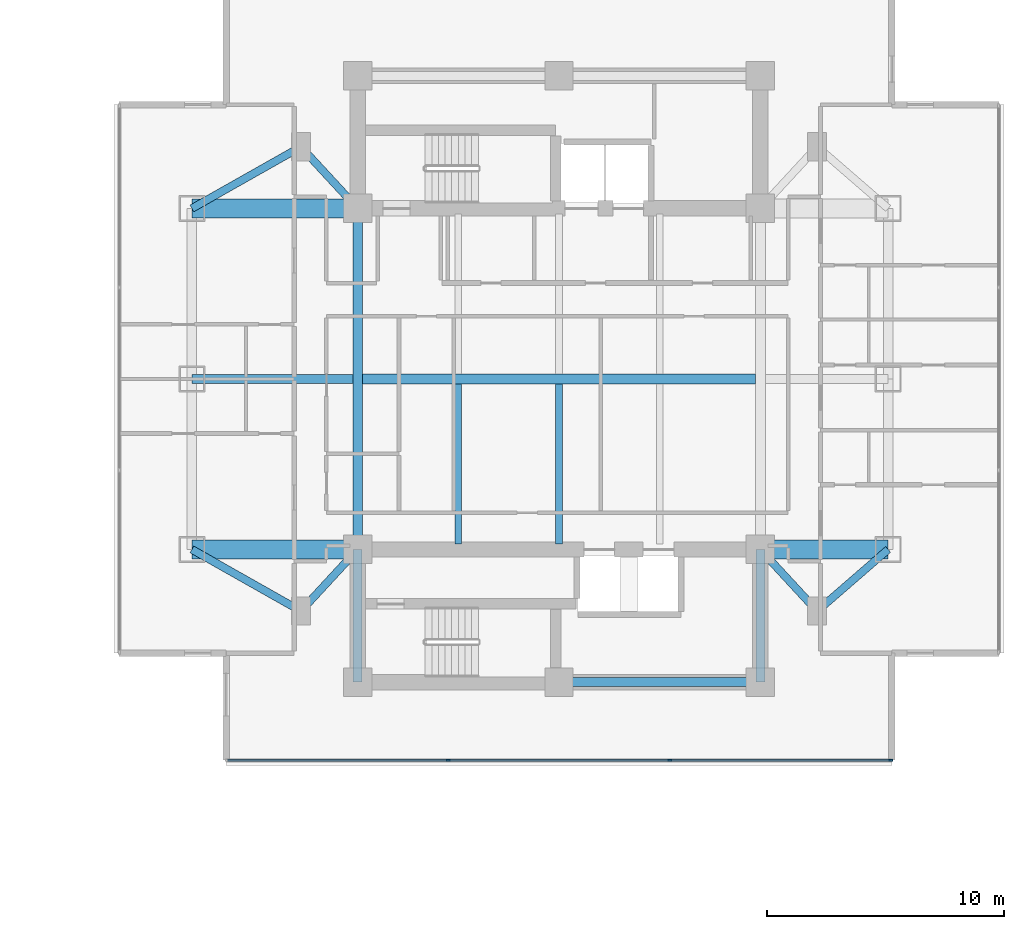
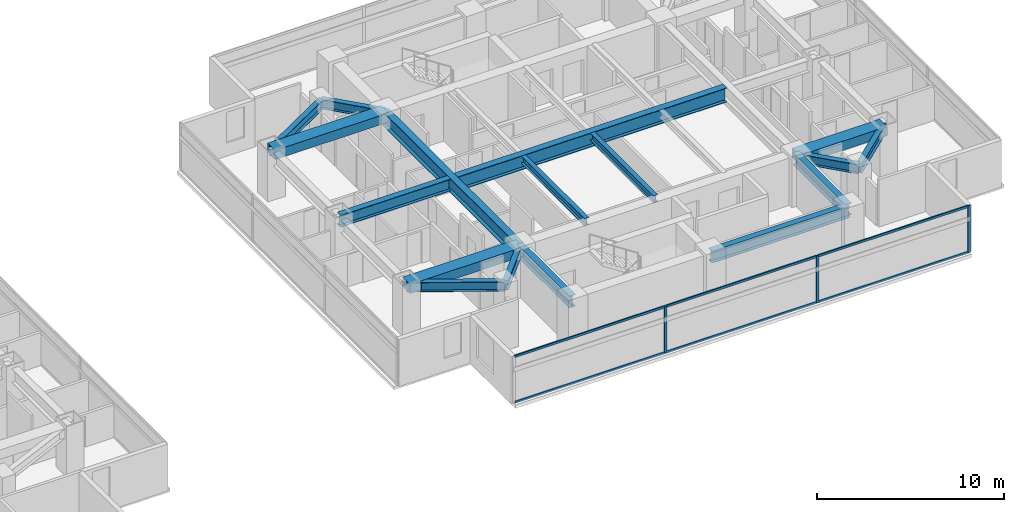
# One storey, part 9 of 26: 17 beams, 9 members, 1 element without a shape of its own.
"""IFC4 building model written with IfcOpenShell, lengths in metres."""

from ifc_helpers import new_model, si_unit, direction, frame, origin, origin_2d, place, context, subcontext, project, spatial, rectangle, i_section, extrude, material, material_profile, profile_set, type_object, element, aggregate, save


model = new_model("IFC4")

# Units and contexts
model_context = context("Model", 3, precision=1e-05, world=origin(), true_north=direction((0.0, 1.0)))
body_context = subcontext(model_context, "Body", "Model", "MODEL_VIEW")
ifc_project = project(units=[si_unit("LENGTHUNIT", "METRE"), si_unit("AREAUNIT", "SQUARE_METRE"), si_unit("VOLUMEUNIT", "CUBIC_METRE"), si_unit("PLANEANGLEUNIT", "RADIAN"), si_unit("MASSUNIT", "GRAM", prefix="KILO")], contexts=[model_context])

# Site, building, storey
site_placement = place(None, origin())
site = spatial("IfcSite", under=ifc_project, at=site_placement, CompositionType="ELEMENT")
building_placement = place(site_placement, origin())
building = spatial("IfcBuilding", under=site, at=building_placement, Name="Mirazonda Arch Towers", CompositionType="ELEMENT")
storey_placement = place(building_placement, frame((0.0, 0.0, 108.199951171875)))
storey = spatial("IfcBuildingStorey", under=building, at=storey_placement, Name="L30", CompositionType="ELEMENT", Elevation=108.199951171875)

# Beams
ifc_material_1 = material(Name="Steel ASTM A992 Grade 50", Category="steel")
ifc_material_profile_1 = material_profile(ifc_material_1, i_section(OverallWidth=0.280029296875, OverallDepth=0.462890625, WebThickness=0.0107421875, FlangeThickness=0.017333984375, at=origin_2d()), Name="W18X76")
ifc_profile_set_1 = profile_set([ifc_material_profile_1], Name="Steel ASTM A992 Grade 50")
beam_type_1 = type_object("IfcBeamType", Name="BM-INT-W18X76", PredefinedType="JOIST", material=ifc_profile_set_1)
for number, where, z_axis, x_axis, name in (
    (1, (72.25, 21.0400390625, 2.8486328125), (0.0, 1.0, 0.0), (-1.0, 0.0, 0.0), "L30 Floor Beam BM-T2-L30-J-722-20"),
    (2, (76.5, 21.0400390625, 2.8486328125), (0.0, 1.0, 0.0), (-1.0, 0.0, 0.0), "L30 Floor Beam BM-T2-L30-J-765-20"),
):
    element("IfcBeam", number, at=place(storey_placement, frame(where, z_axis=z_axis, x_axis=x_axis)), inside=storey, type_object=beam_type_1, Name=name, PredefinedType="JOIST", context=body_context, shape_type="SweptSolid", body=[
        extrude(i_section(OverallWidth=0.280029296875, OverallDepth=0.462890625, WebThickness=0.0107421875, FlangeThickness=0.017333984375, at=origin_2d()), origin(), (0.0, 0.0, 1.0), 6.7548828125),
    ])
ifc_material_profile_2 = material_profile(ifc_material_1, i_section(OverallWidth=0.324951171875, OverallDepth=0.615966796875, WebThickness=0.013916015625, FlangeThickness=0.021484375, at=origin_2d()), Name="W24X117")
ifc_profile_set_2 = profile_set([ifc_material_profile_2], Name="Steel ASTM A992 Grade 50")
beam_type_2 = type_object("IfcBeamType", Name="BM-INT-W24X117", PredefinedType="BEAM", material=ifc_profile_set_2)
beam_1_placement = place(storey_placement, frame((65.60009765625, 18.199951171875, 2.77197265625), z_axis=(0.678251444854, 0.734829897019, 0.0), x_axis=(-0.734829897019, 0.678251444854, 0.0)))
element("IfcBeam", 3, at=beam_1_placement, inside=storey, type_object=beam_type_2, Name="L30 Floor Beam BM-T2-L30-PL-SW1", PredefinedType="BEAM", context=body_context, shape_type="SweptSolid", body=[
    extrude(i_section(OverallWidth=0.324951171875, OverallDepth=0.615966796875, WebThickness=0.013916015625, FlangeThickness=0.021484375, at=origin_2d()), origin(), (0.0, 0.0, 1.0), 3.538330078125),
])
beam_2_placement = place(storey_placement, frame((65.60009765625, 18.199951171875, 2.77197265625), z_axis=(-0.870559396632, 0.492063346467, 0.0), x_axis=(-0.492063346467, -0.870559396632, 0.0)))
element("IfcBeam", 4, at=beam_2_placement, inside=storey, type_object=beam_type_2, Name="L30 Floor Beam BM-T2-L30-PL-SW2", PredefinedType="BEAM", context=body_context, shape_type="SweptSolid", body=[
    extrude(i_section(OverallWidth=0.324951171875, OverallDepth=0.615966796875, WebThickness=0.013916015625, FlangeThickness=0.021484375, at=origin_2d()), origin(), (0.0, 0.0, 1.0), 5.2841796875),
])
beam_3_placement = place(storey_placement, frame((87.39990234375, 18.199951171875, 2.77197265625), z_axis=(-0.678251444854, 0.734829897019, 0.0), x_axis=(-0.734829897019, -0.678251444854, 0.0)))
element("IfcBeam", 5, at=beam_3_placement, inside=storey, type_object=beam_type_2, Name="L30 Floor Beam BM-T2-L30-PL-SE1", PredefinedType="BEAM", context=body_context, shape_type="SweptSolid", body=[
    extrude(i_section(OverallWidth=0.324951171875, OverallDepth=0.615966796875, WebThickness=0.013916015625, FlangeThickness=0.021484375, at=origin_2d()), origin(), (0.0, 0.0, 1.0), 3.538330078125),
])
beam_4_placement = place(storey_placement, frame((87.39990234375, 18.199951171875, 2.77197265625), z_axis=(0.755676908098, 0.654944585876, 0.0), x_axis=(-0.654944585876, 0.755676908098, 0.0)))
element("IfcBeam", 6, at=beam_4_placement, inside=storey, type_object=beam_type_2, Name="L30 Floor Beam BM-T2-L30-PL-SE2", PredefinedType="BEAM", context=body_context, shape_type="SweptSolid", body=[
    extrude(i_section(OverallWidth=0.324951171875, OverallDepth=0.615966796875, WebThickness=0.013916015625, FlangeThickness=0.021484375, at=origin_2d()), origin(), (0.0, 0.0, 1.0), 3.969970703125),
])
beam_5_placement = place(storey_placement, frame((65.60009765625, 37.800048828125, 2.77197265625), z_axis=(0.678251444854, -0.734829897019, 0.0), x_axis=(0.734829897019, 0.678251444854, 0.0)))
element("IfcBeam", 7, at=beam_5_placement, inside=storey, type_object=beam_type_2, Name="L30 Floor Beam BM-T2-L30-PL-NW1", PredefinedType="BEAM", context=body_context, shape_type="SweptSolid", body=[
    extrude(i_section(OverallWidth=0.324951171875, OverallDepth=0.615966796875, WebThickness=0.013916015625, FlangeThickness=0.021484375, at=origin_2d()), origin(), (0.0, 0.0, 1.0), 3.538330078125),
])
beam_6_placement = place(storey_placement, frame((65.60009765625, 37.800048828125, 2.77197265625), z_axis=(-0.870559396632, -0.492063346467, 0.0), x_axis=(0.492063346467, -0.870559396632, 0.0)))
element("IfcBeam", 8, at=beam_6_placement, inside=storey, type_object=beam_type_2, Name="L30 Floor Beam BM-T2-L30-PL-NW2", PredefinedType="BEAM", context=body_context, shape_type="SweptSolid", body=[
    extrude(i_section(OverallWidth=0.324951171875, OverallDepth=0.615966796875, WebThickness=0.013916015625, FlangeThickness=0.021484375, at=origin_2d()), origin(), (0.0, 0.0, 1.0), 5.2841796875),
])
ifc_material_profile_3 = material_profile(ifc_material_1, i_section(OverallWidth=0.381103515625, OverallDepth=0.77294921875, WebThickness=0.0166015625, FlangeThickness=0.027099609375, at=origin_2d()), Name="W30X173")
ifc_profile_set_3 = profile_set([ifc_material_profile_3], Name="Steel ASTM A992 Grade 50")
beam_type_3 = type_object("IfcBeamType", Name="BM-INT-W30X173", PredefinedType="USERDEFINED", material=ifc_profile_set_3)
beam_7_placement = place(storey_placement, frame((76.5, 15.199951171875, 2.693603515625), z_axis=(1.0, 0.0, 0.0), x_axis=(0.0, 1.0, 0.0)))
element("IfcBeam", 9, at=beam_7_placement, inside=storey, type_object=beam_type_3, Name="L30 Floor Beam BM-T2-L30-CS2", ObjectType="GIRDER", PredefinedType="USERDEFINED", context=body_context, shape_type="SweptSolid", body=[
    extrude(i_section(OverallWidth=0.381103515625, OverallDepth=0.77294921875, WebThickness=0.0166015625, FlangeThickness=0.027099609375, at=origin_2d()), origin(), (0.0, 0.0, 1.0), 8.5),
])
for number, where, z_axis, x_axis, name in (
    (10, (68.0, 15.199951171875, 2.693603515625), (0.0, 1.0, 0.0), (-1.0, 0.0, 0.0), "L30 Floor Beam BM-T2-L30-CSW"),
    (11, (85.0, 15.199951171875, 2.693603515625), (0.0, 1.0, 0.0), (-1.0, 0.0, 0.0), "L30 Floor Beam BM-T2-L30-CSE"),
):
    element("IfcBeam", number, at=place(storey_placement, frame(where, z_axis=z_axis, x_axis=x_axis)), inside=storey, type_object=beam_type_3, Name=name, ObjectType="GIRDER", PredefinedType="USERDEFINED", context=body_context, shape_type="SweptSolid", body=[
        extrude(i_section(OverallWidth=0.381103515625, OverallDepth=0.77294921875, WebThickness=0.0166015625, FlangeThickness=0.027099609375, at=origin_2d()), origin(), (0.0, 0.0, 1.0), 5.60009765625),
    ])
beam_8_placement = place(storey_placement, frame((61.0, 28.0, 2.693603515625), z_axis=(1.0, 0.0, 0.0), x_axis=(0.0, 1.0, 0.0)))
element("IfcBeam", 12, at=beam_8_placement, inside=storey, type_object=beam_type_3, Name="L30 Floor Beam BM-T2-L30-GW2", ObjectType="GIRDER", PredefinedType="USERDEFINED", context=body_context, shape_type="SweptSolid", body=[
    extrude(i_section(OverallWidth=0.381103515625, OverallDepth=0.77294921875, WebThickness=0.0166015625, FlangeThickness=0.027099609375, at=origin_2d()), origin(), (0.0, 0.0, 1.0), 6.791015625),
])
ifc_material_profile_4 = material_profile(ifc_material_1, i_section(OverallWidth=0.41796875, OverallDepth=0.927001953125, WebThickness=0.019287109375, FlangeThickness=0.031982421875, at=origin_2d()), Name="W36X231")
ifc_profile_set_4 = profile_set([ifc_material_profile_4], Name="Steel ASTM A992 Grade 50")
beam_type_4 = type_object("IfcBeamType", Name="BM-INT-W36X231", PredefinedType="USERDEFINED", material=ifc_profile_set_4)
beam_9_placement = place(storey_placement, frame((68.208984375, 28.0, 2.616455078125), z_axis=(1.0, 0.0, 0.0), x_axis=(0.0, 1.0, 0.0)))
element("IfcBeam", 13, at=beam_9_placement, inside=storey, type_object=beam_type_4, Name="L30 Floor Beam BM-T2-L30-GC2", ObjectType="GIRDER", PredefinedType="USERDEFINED", context=body_context, shape_type="SweptSolid", body=[
    extrude(i_section(OverallWidth=0.41796875, OverallDepth=0.927001953125, WebThickness=0.019287109375, FlangeThickness=0.031982421875, at=origin_2d()), origin(), (0.0, 0.0, 1.0), 16.58203125),
])
beam_10_placement = place(storey_placement, frame((68.0, 20.800048828125, 2.616455078125), z_axis=(0.0, 1.0, 0.0), x_axis=(-1.0, 0.0, 0.0)))
element("IfcBeam", 14, at=beam_10_placement, inside=storey, type_object=beam_type_4, Name="L30 Floor Beam BM-T2-L30-NS-CW-FULL", ObjectType="GIRDER", PredefinedType="USERDEFINED", context=body_context, shape_type="SweptSolid", body=[
    extrude(i_section(OverallWidth=0.41796875, OverallDepth=0.927001953125, WebThickness=0.019287109375, FlangeThickness=0.031982421875, at=origin_2d()), origin(), (0.0, 0.0, 1.0), 14.39990234375),
])
ifc_material_2 = material(Name="Concrete C60/75", Category="concrete")
ifc_material_profile_5 = material_profile(ifc_material_2, rectangle(XDim=0.800048828125, YDim=0.60009765625, at=origin_2d()), Name="RCCB800x600")
ifc_profile_set_5 = profile_set([ifc_material_profile_5], Name="Concrete C60/75")
beam_type_5 = type_object("IfcBeamType", Name="CB-INT-RCCB800x600", PredefinedType="SPANDREL", material=ifc_profile_set_5)
for number, where, z_axis, x_axis, name in (
    (15, (61.0, 35.199951171875, 2.780029296875), (1.0, 0.0, 0.0), (0.0, 1.0, 0.0), "L30 Floor Beam CBC-T2-L30-NW"),
    (16, (61.0, 20.800048828125, 2.780029296875), (1.0, 0.0, 0.0), (0.0, 1.0, 0.0), "L30 Floor Beam CBC-T2-L30-SW"),
):
    element("IfcBeam", number, at=place(storey_placement, frame(where, z_axis=z_axis, x_axis=x_axis)), inside=storey, type_object=beam_type_5, Name=name, PredefinedType="SPANDREL", context=body_context, shape_type="SweptSolid", body=[
        extrude(rectangle(XDim=0.800048828125, YDim=0.60009765625, at=origin_2d()), origin(), (0.0, 0.0, 1.0), 7.0),
    ])
beam_11_placement = place(storey_placement, frame((85.0, 20.800048828125, 2.780029296875), z_axis=(1.0, 0.0, 0.0), x_axis=(0.0, 1.0, 0.0)))
element("IfcBeam", 17, at=beam_11_placement, inside=storey, type_object=beam_type_5, Name="L30 Floor Beam CBC-T2-L30-SE", PredefinedType="SPANDREL", context=body_context, shape_type="SweptSolid", body=[
    extrude(rectangle(XDim=0.800048828125, YDim=0.60009765625, at=origin_2d()), origin(), (0.0, 0.0, 1.0), 5.39990234375),
])

# Curtain wall, members
ifc_material_3 = material(Name="Anodised Aluminium and Low-E Glass", Category="aluminium")
curtain_wall_type = type_object("IfcCurtainWallType", Name="CW-HTL-UNIT", PredefinedType="NOTDEFINED", material=ifc_material_3)
curtain_wall_placement = place(storey_placement, origin())
curtain_wall = element("IfcCurtainWall", 18, at=curtain_wall_placement, inside=storey, type_object=curtain_wall_type, Name="L30 T2 S Facade CW-L30-T2-S", PredefinedType="NOTDEFINED")
ifc_material_4 = material(Name="Anodised Aluminium Alloy", Category="aluminium")
ifc_material_profile_6 = material_profile(ifc_material_4, rectangle(XDim=0.074951171875, YDim=0.1650390625, at=origin_2d()), Name="ALU-MULL-75x165")
ifc_profile_set_6 = profile_set([ifc_material_profile_6], Name="Anodised Aluminium Alloy")
member_type_1 = type_object("IfcMemberType", Name="MULL-CW-HTL-UNIT", PredefinedType="MULLION", material=ifc_profile_set_6)
member_1_placement = place(storey_placement, frame((90.5166015625, 11.902587890625, 0.0), z_axis=(0.0, 0.0, 1.0), x_axis=(0.0, -1.0, 0.0)))
member_1 = element("IfcMember", 19, at=member_1_placement, type_object=member_type_1, Name="CW-112 mullion 1", PredefinedType="MULLION", context=body_context, shape_type="SweptSolid", body=[
    extrude(rectangle(XDim=0.074951171875, YDim=0.1650390625, at=origin_2d()), origin(), (0.0, 0.0, 1.0), 3.06005859375),
])
member_2_placement = place(storey_placement, frame((81.184814453125, 11.902587890625, 0.0), z_axis=(0.0, 0.0, 1.0), x_axis=(0.0, -1.0, 0.0)))
member_2 = element("IfcMember", 20, at=member_2_placement, type_object=member_type_1, Name="CW-112 mullion 2", PredefinedType="MULLION", context=body_context, shape_type="SweptSolid", body=[
    extrude(rectangle(XDim=0.074951171875, YDim=0.1650390625, at=origin_2d()), origin(), (0.0, 0.0, 1.0), 3.06005859375),
])
member_3_placement = place(storey_placement, frame((71.815185546875, 11.902587890625, 0.0), z_axis=(0.0, 0.0, 1.0), x_axis=(0.0, -1.0, 0.0)))
member_3 = element("IfcMember", 21, at=member_3_placement, type_object=member_type_1, Name="CW-112 mullion 3", PredefinedType="MULLION", context=body_context, shape_type="SweptSolid", body=[
    extrude(rectangle(XDim=0.074951171875, YDim=0.1650390625, at=origin_2d()), origin(), (0.0, 0.0, 1.0), 3.06005859375),
])
ifc_material_profile_7 = material_profile(ifc_material_4, rectangle(XDim=0.074951171875, YDim=0.14501953125, at=origin_2d()), Name="ALU-TRAN-75x145")
ifc_profile_set_7 = profile_set([ifc_material_profile_7], Name="Anodised Aluminium Alloy")
member_type_2 = type_object("IfcMemberType", Name="TRAN-CW-HTL-UNIT", PredefinedType="USERDEFINED", material=ifc_profile_set_7)
member_4_placement = place(storey_placement, frame((90.479248046875, 11.902587890625, 0.03759765625), z_axis=(-1.0, 0.0, 0.0), x_axis=(0.0, -1.0, 0.0)))
member_4 = element("IfcMember", 22, at=member_4_placement, type_object=member_type_2, Name="CW-112 transom 1.1", ObjectType="TRANSOM", PredefinedType="USERDEFINED", context=body_context, shape_type="SweptSolid", body=[
    extrude(rectangle(XDim=0.074951171875, YDim=0.14501953125, at=origin_2d()), origin(), (0.0, 0.0, 1.0), 9.257080078125),
])
member_5_placement = place(storey_placement, frame((90.479248046875, 11.902587890625, 3.0224609375), z_axis=(-1.0, 0.0, 0.0), x_axis=(0.0, -1.0, 0.0)))
member_5 = element("IfcMember", 23, at=member_5_placement, type_object=member_type_2, Name="CW-112 transom 1.2", ObjectType="TRANSOM", PredefinedType="USERDEFINED", context=body_context, shape_type="SweptSolid", body=[
    extrude(rectangle(XDim=0.074951171875, YDim=0.14501953125, at=origin_2d()), origin(), (0.0, 0.0, 1.0), 9.257080078125),
])
member_6_placement = place(storey_placement, frame((81.147216796875, 11.902587890625, 0.03759765625), z_axis=(-1.0, 0.0, 0.0), x_axis=(0.0, -1.0, 0.0)))
member_6 = element("IfcMember", 24, at=member_6_placement, type_object=member_type_2, Name="CW-112 transom 2.1", ObjectType="TRANSOM", PredefinedType="USERDEFINED", context=body_context, shape_type="SweptSolid", body=[
    extrude(rectangle(XDim=0.074951171875, YDim=0.14501953125, at=origin_2d()), origin(), (0.0, 0.0, 1.0), 9.29443359375),
])
member_7_placement = place(storey_placement, frame((81.147216796875, 11.902587890625, 3.0224609375), z_axis=(-1.0, 0.0, 0.0), x_axis=(0.0, -1.0, 0.0)))
member_7 = element("IfcMember", 25, at=member_7_placement, type_object=member_type_2, Name="CW-112 transom 2.2", ObjectType="TRANSOM", PredefinedType="USERDEFINED", context=body_context, shape_type="SweptSolid", body=[
    extrude(rectangle(XDim=0.074951171875, YDim=0.14501953125, at=origin_2d()), origin(), (0.0, 0.0, 1.0), 9.29443359375),
])
member_8_placement = place(storey_placement, frame((71.77783203125, 11.902587890625, 0.03759765625), z_axis=(-1.0, 0.0, 0.0), x_axis=(0.0, -1.0, 0.0)))
member_8 = element("IfcMember", 26, at=member_8_placement, type_object=member_type_2, Name="CW-112 transom 3.1", ObjectType="TRANSOM", PredefinedType="USERDEFINED", context=body_context, shape_type="SweptSolid", body=[
    extrude(rectangle(XDim=0.074951171875, YDim=0.14501953125, at=origin_2d()), origin(), (0.0, 0.0, 1.0), 9.257080078125),
])
member_9_placement = place(storey_placement, frame((71.77783203125, 11.902587890625, 3.0224609375), z_axis=(-1.0, 0.0, 0.0), x_axis=(0.0, -1.0, 0.0)))
member_9 = element("IfcMember", 27, at=member_9_placement, type_object=member_type_2, Name="CW-112 transom 3.2", ObjectType="TRANSOM", PredefinedType="USERDEFINED", context=body_context, shape_type="SweptSolid", body=[
    extrude(rectangle(XDim=0.074951171875, YDim=0.14501953125, at=origin_2d()), origin(), (0.0, 0.0, 1.0), 9.257080078125),
])
aggregate(curtain_wall, [member_1, member_2, member_3, member_4, member_5, member_6, member_7, member_8, member_9])

save(model, "model.ifc")
